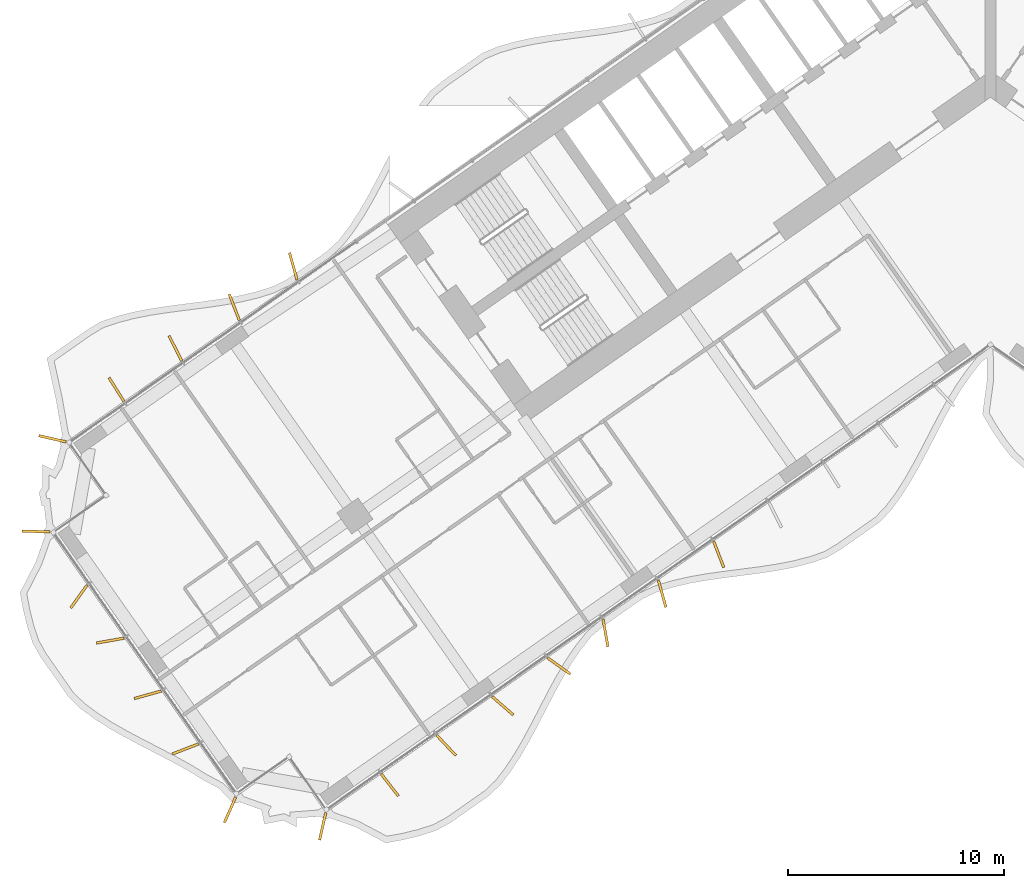
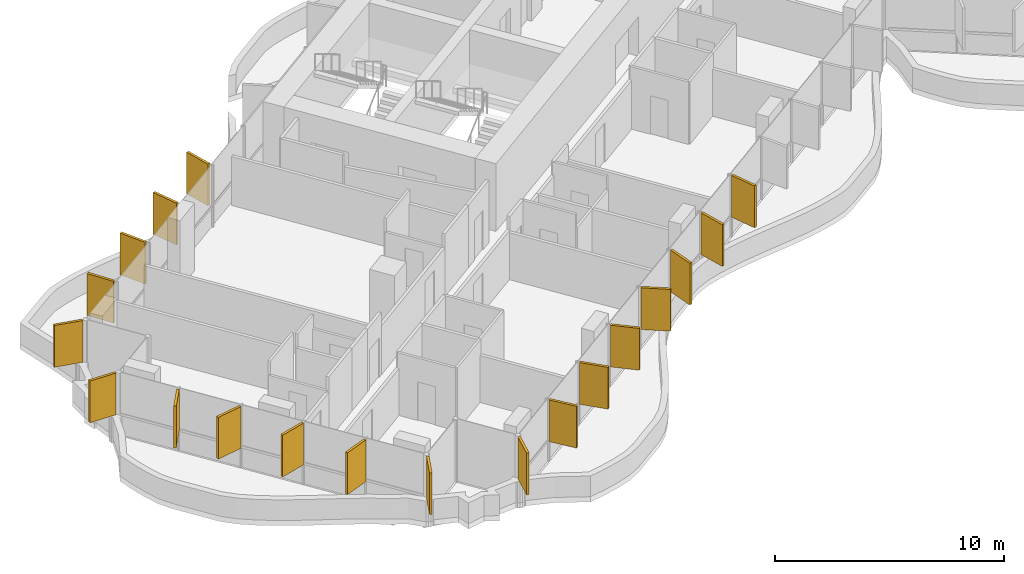
# One storey, part 18 of 23: 19 shading devices.
"""IFC4 building model written with IfcOpenShell, lengths in metres."""

from ifc_helpers import new_model, si_unit, direction, frame, origin, origin_2d, place, context, subcontext, project, spatial, rectangle, extrude, material, layer, layer_set, type_object, element, save


model = new_model("IFC4")

# Units and contexts
model_context = context("Model", 3, precision=1e-05, world=origin(), true_north=direction((0.0, 1.0)))
body_context = subcontext(model_context, "Body", "Model", "MODEL_VIEW")
ifc_project = project(units=[si_unit("LENGTHUNIT", "METRE"), si_unit("AREAUNIT", "SQUARE_METRE"), si_unit("VOLUMEUNIT", "CUBIC_METRE"), si_unit("PLANEANGLEUNIT", "RADIAN"), si_unit("MASSUNIT", "GRAM", prefix="KILO")], contexts=[model_context])

# Site, building, storey
site_placement = place(None, origin())
site = spatial("IfcSite", under=ifc_project, at=site_placement, CompositionType="ELEMENT")
building_placement = place(site_placement, origin())
building = spatial("IfcBuilding", under=site, at=building_placement, Name="Tel Ilan Convention Tower", CompositionType="ELEMENT")
storey_placement = place(building_placement, frame((0.0, 0.0, 79.699951171875)))
storey = spatial("IfcBuildingStorey", under=building, at=storey_placement, Name="L15", CompositionType="ELEMENT", Elevation=79.699951171875)

# Shading devices
ifc_material = material(Name="Aluminium, bronze anodised", Category="aluminium")
ifc_layer = layer(ifc_material, 0.1201171875)
ifc_layer_set = layer_set([ifc_layer], Name="FIN BRONZE 1300x120")
shading_device_type = type_object("IfcShadingDeviceType", Name="FIN BRONZE 1300x120", PredefinedType="USERDEFINED", material=ifc_layer_set)
for number, where, z_axis, x_axis, name in (
    (1, (-32.348876953125, -9.060791015625, 1.10009765625), (0.0, 0.0, 1.0), (-0.268172612768, 0.963370878614, 0.0), "FIN"),
    (2, (-35.085693359375, -10.9619140625, 1.10009765625), (0.0, 0.0, 1.0), (-0.360177724803, 0.932883704733, 0.0), "FIN"),
    (3, (-37.8203125, -12.86865234375, 1.10009765625), (0.0, 0.0, 1.0), (-0.448799180206, 0.893632640321, 0.0), "FIN"),
    (4, (-40.552001953125, -14.78125, 1.10009765625), (0.0, 0.0, 1.0), (-0.533204432798, 0.845986425922, 0.0), "FIN"),
    (5, (-43.520751953125, -17.065673828125, 1.10009765625), (0.0, 0.0, 1.0), (-0.975235208752, 0.221170268371, 0.0), "FIN"),
    (6, (-44.27880859375, -21.36767578125, 1.10009765625), (0.0, 0.0, 1.0), (-0.999576950082, 0.029084718749, 0.0), "FIN"),
    (7, (-42.29443359375, -24.385498046875, 1.10009765625), (0.0, 0.0, 1.0), (-0.581492071294, -0.813552070258, 0.0), "FIN"),
    (8, (-40.840087890625, -26.43017578125, 1.10009765625), (0.0, 0.0, 1.0), (-0.984807753012, -0.173648177667, 0.0), "FIN"),
    (9, (-39.10107421875, -28.94580078125, 1.10009765625), (0.0, 0.0, 1.0), (-0.963370878614, -0.268172612768, 0.0), "FIN"),
    (10, (-37.35595703125, -31.4599609375, 1.10009765625), (0.0, 0.0, 1.0), (-0.932883704733, -0.360177724803, 0.0), "FIN"),
    (11, (-35.283203125, -34.283203125, 1.10009765625), (0.0, 0.0, 1.0), (-0.404964282034, -0.914332505315, 0.0), "FIN"),
    (12, (-30.9833984375, -35.04833984375, 1.10009765625), (0.0, 0.0, 1.0), (-0.221170268371, -0.975235208752, 0.0), "FIN"),
    (13, (-27.869873046875, -33.128173828125, 1.10009765625), (0.0, 0.0, 1.0), (0.612600545196, -0.790392669516, 0.0), "FIN"),
    (14, (-25.24853515625, -31.29248046875, 1.10009765625), (0.0, 0.0, 1.0), (0.686241637865, -0.727373641577, 0.0), "FIN"),
    (15, (-22.6318359375, -29.452392578125, 1.10009765625), (0.0, 0.0, 1.0), (0.753435896329, -0.657521368568, 0.0), "FIN"),
    (16, (-20.01953125, -27.60791015625, 1.10009765625), (0.0, 0.0, 1.0), (0.813552070258, -0.581492071294, 0.0), "FIN"),
    (17, (-17.862548828125, -26.074951171875, 1.10009765625), (0.0, 0.0, 1.0), (0.173648177667, -0.984807753012, 0.0), "FIN"),
    (18, (-15.234130859375, -24.25732421875, 1.10009765625), (0.0, 0.0, 1.0), (0.268172612768, -0.963370878614, 0.0), "FIN"),
    (19, (-12.607666015625, -22.433349609375, 1.10009765625), (0.0, 0.0, 1.0), (0.360177724803, -0.932883704733, 0.0), "FIN"),
):
    element("IfcShadingDevice", number, at=place(storey_placement, frame(where, z_axis=z_axis, x_axis=x_axis)), inside=storey, type_object=shading_device_type, Name=name, ObjectType="FIN", PredefinedType="USERDEFINED", context=body_context, shape_type="SweptSolid", body=[
        extrude(rectangle(XDim=1.300048828125, YDim=0.1201171875, at=origin_2d()), origin(), (0.0, 0.0, 1.0), 2.219970703125),
    ])

save(model, "model.ifc")
